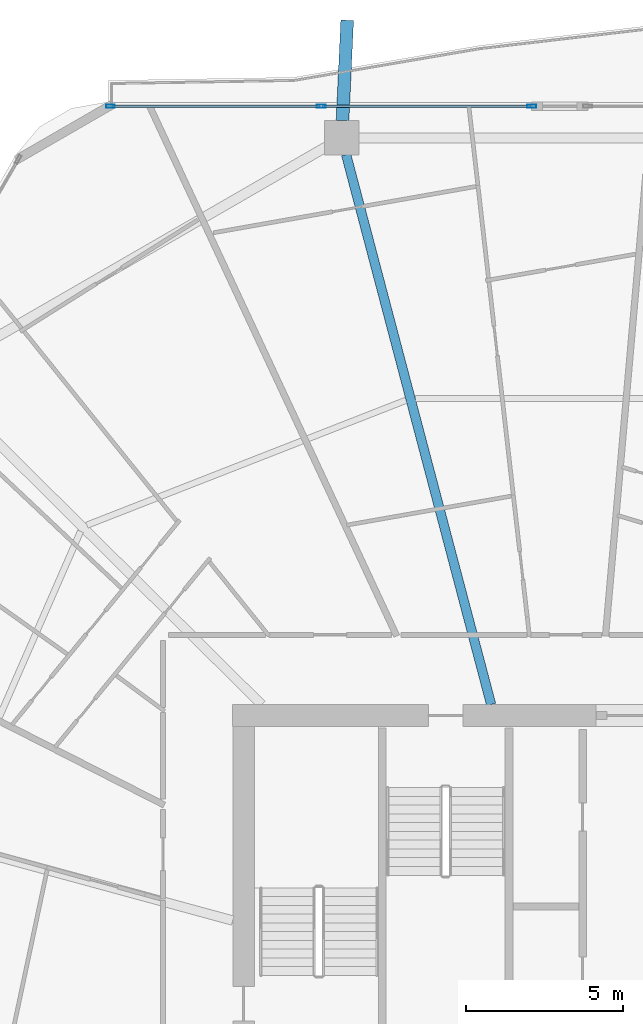
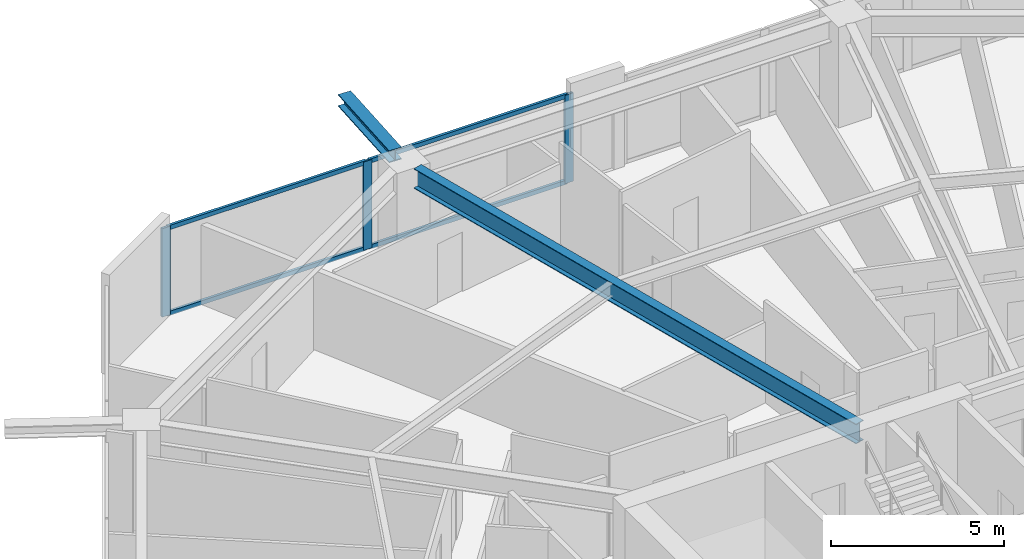
# One storey, part 16 of 33: 7 members, 2 beams, 1 element without a shape of its own.
"""IFC4 building model written with IfcOpenShell, lengths in metres."""

from ifc_helpers import new_model, si_unit, direction, frame, origin, origin_2d, place, context, subcontext, project, spatial, hollow_rectangle, i_section, extrude, material, material_profile, profile_set, type_object, element, aggregate, save


model = new_model("IFC4")

# Units and contexts
model_context = context("Model", 3, precision=1e-05, world=origin(), true_north=direction((0.0, 1.0)))
body_context = subcontext(model_context, "Body", "Model", "MODEL_VIEW")
ifc_project = project(units=[si_unit("LENGTHUNIT", "METRE"), si_unit("AREAUNIT", "SQUARE_METRE"), si_unit("VOLUMEUNIT", "CUBIC_METRE"), si_unit("PLANEANGLEUNIT", "RADIAN"), si_unit("MASSUNIT", "GRAM", prefix="KILO")], contexts=[model_context])

# Site, building, storey
site_placement = place(None, origin())
site = spatial("IfcSite", under=ifc_project, at=site_placement, CompositionType="ELEMENT")
building_placement = place(site_placement, origin())
building = spatial("IfcBuilding", under=site, at=building_placement, Name="Zuhravey Tower", CompositionType="ELEMENT")
storey_placement = place(building_placement, frame((0.0, 0.0, 126.60009765625)))
storey = spatial("IfcBuildingStorey", under=building, at=storey_placement, Name="L31", CompositionType="ELEMENT", Elevation=126.60009765625)

# Curtain wall, members
ifc_material_1 = material(Name="Thermally broken anodised aluminium", Category="aluminium")
curtain_wall_type = type_object("IfcCurtainWallType", Name="Zone 1-2 Residential Curtain Wall CW3", PredefinedType="NOTDEFINED", material=ifc_material_1)
curtain_wall_placement = place(storey_placement, origin())
curtain_wall = element("IfcCurtainWall", 1, at=curtain_wall_placement, inside=storey, type_object=curtain_wall_type, Name="L31 CW3 CW-L31-F2-1", PredefinedType="NOTDEFINED")
ifc_material_2 = material(Name="Anodised aluminium", Category="aluminium")
ifc_material_profile_1 = material_profile(ifc_material_2, hollow_rectangle(XDim=0.090087890625, YDim=0.284912109375, WallThickness=0.0048828125, at=origin_2d()), Name="ALU-RHS-90x285x5")
ifc_profile_set_1 = profile_set([ifc_material_profile_1], Name="Anodised aluminium")
member_type_1 = type_object("IfcMemberType", Name="Curtain-Wall Mullion 90x180", PredefinedType="MULLION", material=ifc_profile_set_1)
member_1_placement = place(storey_placement, frame((21.24560546875, 60.95849609375, 0.0), z_axis=(0.0, 0.0, 1.0), x_axis=(0.0, 1.0, 0.0)))
member_1 = element("IfcMember", 2, at=member_1_placement, type_object=member_type_1, Name="CW3 mullion 1", PredefinedType="MULLION", context=body_context, shape_type="SweptSolid", body=[
    extrude(hollow_rectangle(XDim=0.090087890625, YDim=0.284912109375, WallThickness=0.0048828125, at=origin_2d()), origin(), (0.0, 0.0, 1.0), 3.121826171875),
])
member_2_placement = place(storey_placement, frame((27.971435546875, 60.95849609375, 0.0), z_axis=(0.0, 0.0, 1.0), x_axis=(0.0, 1.0, 0.0)))
member_2 = element("IfcMember", 3, at=member_2_placement, type_object=member_type_1, Name="CW3 mullion 2", PredefinedType="MULLION", context=body_context, shape_type="SweptSolid", body=[
    extrude(hollow_rectangle(XDim=0.090087890625, YDim=0.284912109375, WallThickness=0.0048828125, at=origin_2d()), origin(), (0.0, 0.0, 1.0), 3.121826171875),
])
member_3_placement = place(storey_placement, frame((34.697265625, 60.95849609375, 0.0), z_axis=(0.0, 0.0, 1.0), x_axis=(0.0, 1.0, 0.0)))
member_3 = element("IfcMember", 4, at=member_3_placement, type_object=member_type_1, Name="CW3 mullion 3", PredefinedType="MULLION", context=body_context, shape_type="SweptSolid", body=[
    extrude(hollow_rectangle(XDim=0.090087890625, YDim=0.284912109375, WallThickness=0.0048828125, at=origin_2d()), origin(), (0.0, 0.0, 1.0), 3.121826171875),
])
ifc_material_profile_2 = material_profile(ifc_material_2, hollow_rectangle(XDim=0.090087890625, YDim=0.14990234375, WallThickness=0.0048828125, at=origin_2d()), Name="ALU-RHS-90x150x5")
ifc_profile_set_2 = profile_set([ifc_material_profile_2], Name="Anodised aluminium")
member_type_2 = type_object("IfcMemberType", Name="Curtain-Wall Transom 90x150", PredefinedType="USERDEFINED", material=ifc_profile_set_2)
member_4_placement = place(storey_placement, frame((21.29052734375, 60.95849609375, 0.044921875), z_axis=(1.0, 0.0, 0.0), x_axis=(0.0, 1.0, 0.0)))
member_4 = element("IfcMember", 5, at=member_4_placement, type_object=member_type_2, Name="CW3 transom 1.1", ObjectType="TRANSOM", PredefinedType="USERDEFINED", context=body_context, shape_type="SweptSolid", body=[
    extrude(hollow_rectangle(XDim=0.090087890625, YDim=0.14990234375, WallThickness=0.0048828125, at=origin_2d()), origin(), (0.0, 0.0, 1.0), 6.635986328125),
])
member_5_placement = place(storey_placement, frame((21.29052734375, 60.95849609375, 3.076904296875), z_axis=(1.0, 0.0, 0.0), x_axis=(0.0, 1.0, 0.0)))
member_5 = element("IfcMember", 6, at=member_5_placement, type_object=member_type_2, Name="CW3 transom 1.2", ObjectType="TRANSOM", PredefinedType="USERDEFINED", context=body_context, shape_type="SweptSolid", body=[
    extrude(hollow_rectangle(XDim=0.090087890625, YDim=0.14990234375, WallThickness=0.0048828125, at=origin_2d()), origin(), (0.0, 0.0, 1.0), 6.635986328125),
])
member_6_placement = place(storey_placement, frame((28.016357421875, 60.95849609375, 0.044921875), z_axis=(1.0, 0.0, 0.0), x_axis=(0.0, 1.0, 0.0)))
member_6 = element("IfcMember", 7, at=member_6_placement, type_object=member_type_2, Name="CW3 transom 2.1", ObjectType="TRANSOM", PredefinedType="USERDEFINED", context=body_context, shape_type="SweptSolid", body=[
    extrude(hollow_rectangle(XDim=0.090087890625, YDim=0.14990234375, WallThickness=0.0048828125, at=origin_2d()), origin(), (0.0, 0.0, 1.0), 6.635986328125),
])
member_7_placement = place(storey_placement, frame((28.016357421875, 60.95849609375, 3.076904296875), z_axis=(1.0, 0.0, 0.0), x_axis=(0.0, 1.0, 0.0)))
member_7 = element("IfcMember", 8, at=member_7_placement, type_object=member_type_2, Name="CW3 transom 2.2", ObjectType="TRANSOM", PredefinedType="USERDEFINED", context=body_context, shape_type="SweptSolid", body=[
    extrude(hollow_rectangle(XDim=0.090087890625, YDim=0.14990234375, WallThickness=0.0048828125, at=origin_2d()), origin(), (0.0, 0.0, 1.0), 6.635986328125),
])
aggregate(curtain_wall, [member_1, member_2, member_3, member_4, member_5, member_6, member_7])

# Beams
ifc_material_3 = material(Name="Steel SM460", Category="steel")
ifc_material_profile_3 = material_profile(ifc_material_3, i_section(OverallWidth=0.406982421875, OverallDepth=0.427978515625, WebThickness=0.02001953125, FlangeThickness=0.034912109375, at=origin_2d()), Name="H-428x407x20x35")
ifc_profile_set_3 = profile_set([ifc_material_profile_3], Name="Steel SM460")
beam_type_1 = type_object("IfcBeamType", Name="Exoskeleton Node Tie Beam H428x407", PredefinedType="BEAM", material=ifc_profile_set_3)
beam_1_placement = place(storey_placement, frame((28.65576171875, 60.50244140625, 3.3359375), z_axis=(0.046700060299, 0.998908956997, 0.0), x_axis=(-0.998908956997, 0.046700060299, 0.0)))
element("IfcBeam", 9, at=beam_1_placement, inside=storey, type_object=beam_type_1, Name="L31 Exoskeleton Node Tie NT1-04", PredefinedType="BEAM", context=body_context, shape_type="SweptSolid", body=[
    extrude(i_section(OverallWidth=0.406982421875, OverallDepth=0.427978515625, WebThickness=0.02001953125, FlangeThickness=0.034912109375, at=origin_2d()), origin(), (0.0, 0.0, 1.0), 3.20458984375),
])
ifc_material_4 = material(Name="Steel SM355", Category="steel")
ifc_material_profile_4 = material_profile(ifc_material_4, i_section(OverallWidth=0.300048828125, OverallDepth=0.699951171875, WebThickness=0.012939453125, FlangeThickness=0.02392578125, at=origin_2d()), Name="H-700x300x13x24")
ifc_profile_set_4 = profile_set([ifc_material_profile_4], Name="Steel SM355")
beam_type_2 = type_object("IfcBeamType", Name="Radial Primary Girder H700x300", PredefinedType="BEAM", material=ifc_profile_set_4)
beam_2_placement = place(storey_placement, frame((33.40185546875, 41.85302734375, 3.199951171875), z_axis=(-0.25498755891, 0.966944333869, 0.0), x_axis=(-0.966944333869, -0.25498755891, 0.0)))
element("IfcBeam", 10, at=beam_2_placement, inside=storey, type_object=beam_type_2, Name="L31 RG1 BM-L31-RAD-04", PredefinedType="BEAM", context=body_context, shape_type="SweptSolid", body=[
    extrude(i_section(OverallWidth=0.300048828125, OverallDepth=0.699951171875, WebThickness=0.012939453125, FlangeThickness=0.02392578125, at=origin_2d()), origin(), (0.0, 0.0, 1.0), 18.1611328125),
])

save(model, "model.ifc")
